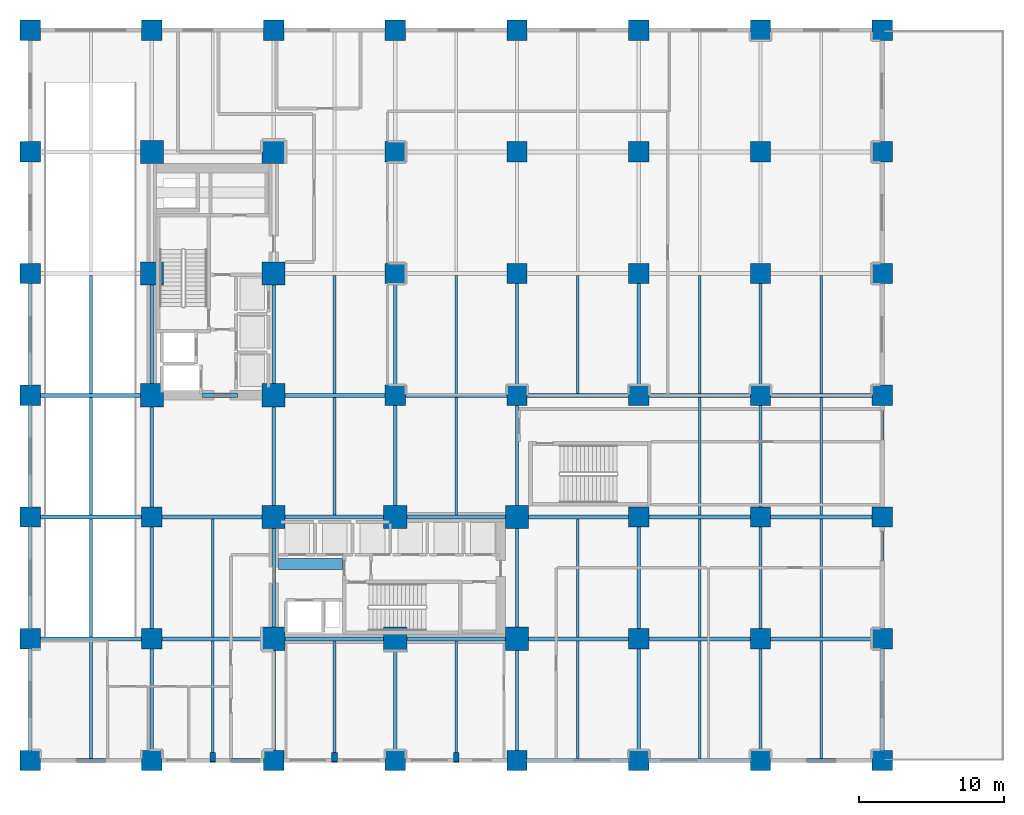
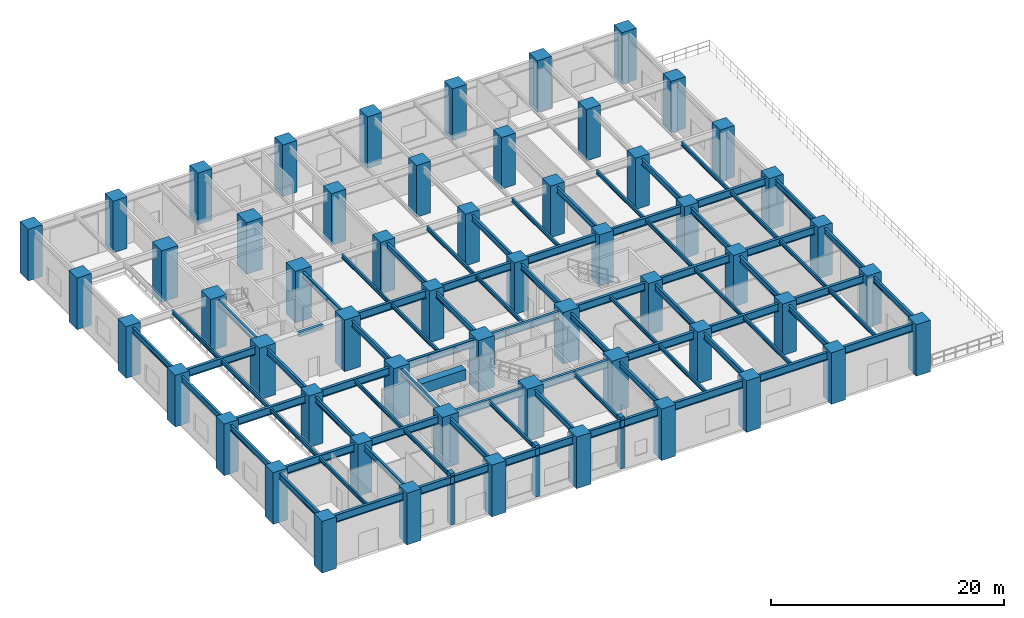
# One storey, part 1 of 13: 81 beams, 59 columns.
"""IFC4 building model written with IfcOpenShell, lengths in metres."""

from ifc_helpers import new_model, si_unit, direction, frame, origin, origin_2d, place, context, subcontext, project, spatial, rectangle, i_section, extrude, material, material_profile, profile_set, type_object, element, save


model = new_model("IFC4")

# Units and contexts
model_context = context("Model", 3, precision=1e-05, world=origin(), true_north=direction((0.0, 1.0)))
body_context = subcontext(model_context, "Body", "Model", "MODEL_VIEW")
ifc_project = project(units=[si_unit("LENGTHUNIT", "METRE"), si_unit("AREAUNIT", "SQUARE_METRE"), si_unit("VOLUMEUNIT", "CUBIC_METRE"), si_unit("PLANEANGLEUNIT", "RADIAN"), si_unit("MASSUNIT", "GRAM", prefix="KILO")], contexts=[model_context])

# Site, building, storey
site_placement = place(None, origin())
site = spatial("IfcSite", under=ifc_project, at=site_placement, CompositionType="ELEMENT")
building_placement = place(site_placement, origin())
building = spatial("IfcBuilding", under=site, at=building_placement, Name="Nerrivon Quay Data Exchange", CompositionType="ELEMENT")
storey_placement = place(building_placement, origin())
storey = spatial("IfcBuildingStorey", under=building, at=storey_placement, Name="L00", CompositionType="ELEMENT", Elevation=0.0)

# Columns
ifc_material_1 = material(Name="Concrete N80 (80 MPa)", Category="concrete")
ifc_material_profile_1 = material_profile(ifc_material_1, rectangle(XDim=1.60009765625, YDim=1.60009765625, at=origin_2d()), Name="RC-COL-1600x1600")
ifc_profile_set_1 = profile_set([ifc_material_profile_1], Name="Concrete N80 (80 MPa)")
column_type_1 = type_object("IfcColumnType", Name="COL-C1-1600", PredefinedType="COLUMN", material=ifc_profile_set_1)
for number, where, z_axis, x_axis, name in (
    (1, (8.39990234375, 25.199951171875, 0.0), (0.0, 0.0, 1.0), (1.0, 0.0, 0.0), "L00 Column (8.4,25.2)"),
    (2, (8.39990234375, 33.60009765625, 0.0), (0.0, 0.0, 1.0), (1.0, 0.0, 0.0), "L00 Column (8.4,33.6)"),
    (3, (8.39990234375, 42.0, 0.0), (0.0, 0.0, 1.0), (1.0, 0.0, 0.0), "L00 Column (8.4,42.0)"),
    (4, (16.800048828125, 8.39990234375, 0.0), (0.0, 0.0, 1.0), (1.0, 0.0, 0.0), "L00 Column (16.8,8.4)"),
    (5, (16.800048828125, 16.800048828125, 0.0), (0.0, 0.0, 1.0), (1.0, 0.0, 0.0), "L00 Column (16.8,16.8)"),
    (6, (16.800048828125, 25.199951171875, 0.0), (0.0, 0.0, 1.0), (1.0, 0.0, 0.0), "L00 Column (16.8,25.2)"),
    (7, (16.800048828125, 33.60009765625, 0.0), (0.0, 0.0, 1.0), (1.0, 0.0, 0.0), "L00 Column (16.8,33.6)"),
    (8, (16.800048828125, 42.0, 0.0), (0.0, 0.0, 1.0), (1.0, 0.0, 0.0), "L00 Column (16.8,42.0)"),
    (9, (25.199951171875, 8.39990234375, 0.0), (0.0, 0.0, 1.0), (1.0, 0.0, 0.0), "L00 Column (25.2,8.4)"),
    (10, (25.199951171875, 16.800048828125, 0.0), (0.0, 0.0, 1.0), (1.0, 0.0, 0.0), "L00 Column (25.2,16.8)"),
    (11, (33.60009765625, 8.39990234375, 0.0), (0.0, 0.0, 1.0), (1.0, 0.0, 0.0), "L00 Column (33.6,8.4)"),
    (12, (33.60009765625, 16.800048828125, 0.0), (0.0, 0.0, 1.0), (1.0, 0.0, 0.0), "L00 Column (33.6,16.8)"),
):
    element("IfcColumn", number, at=place(storey_placement, frame(where, z_axis=z_axis, x_axis=x_axis)), inside=storey, type_object=column_type_1, Name=name, PredefinedType="COLUMN", context=body_context, shape_type="SweptSolid", body=[
        extrude(rectangle(XDim=1.60009765625, YDim=1.60009765625, at=origin_2d()), origin(), (0.0, 0.0, 1.0), 5.39990234375),
    ])
ifc_material_profile_2 = material_profile(ifc_material_1, rectangle(XDim=1.39990234375, YDim=1.39990234375, at=origin_2d()), Name="RC-COL-1400x1400")
ifc_profile_set_2 = profile_set([ifc_material_profile_2], Name="Concrete N80 (80 MPa)")
column_type_2 = type_object("IfcColumnType", Name="COL-C2-1400", PredefinedType="COLUMN", material=ifc_profile_set_2)
for number, where, z_axis, x_axis, name in (
    (13, (0.0, 0.0, 0.0), (0.0, 0.0, 1.0), (1.0, 0.0, 0.0), "L00 Column (0.0,0.0)"),
    (14, (0.0, 8.39990234375, 0.0), (0.0, 0.0, 1.0), (1.0, 0.0, 0.0), "L00 Column (0.0,8.4)"),
    (15, (0.0, 16.800048828125, 0.0), (0.0, 0.0, 1.0), (1.0, 0.0, 0.0), "L00 Column (0.0,16.8)"),
    (16, (0.0, 25.199951171875, 0.0), (0.0, 0.0, 1.0), (1.0, 0.0, 0.0), "L00 Column (0.0,25.2)"),
    (17, (0.0, 33.60009765625, 0.0), (0.0, 0.0, 1.0), (1.0, 0.0, 0.0), "L00 Column (0.0,33.6)"),
    (18, (0.0, 42.0, 0.0), (0.0, 0.0, 1.0), (1.0, 0.0, 0.0), "L00 Column (0.0,42.0)"),
    (19, (0.0, 50.39990234375, 0.0), (0.0, 0.0, 1.0), (1.0, 0.0, 0.0), "L00 Column (0.0,50.4)"),
    (20, (8.39990234375, 0.0, 0.0), (0.0, 0.0, 1.0), (1.0, 0.0, 0.0), "L00 Column (8.4,0.0)"),
    (21, (8.39990234375, 8.39990234375, 0.0), (0.0, 0.0, 1.0), (1.0, 0.0, 0.0), "L00 Column (8.4,8.4)"),
    (22, (8.39990234375, 16.800048828125, 0.0), (0.0, 0.0, 1.0), (1.0, 0.0, 0.0), "L00 Column (8.4,16.8)"),
    (23, (8.39990234375, 50.39990234375, 0.0), (0.0, 0.0, 1.0), (1.0, 0.0, 0.0), "L00 Column (8.4,50.4)"),
    (24, (16.800048828125, 0.0, 0.0), (0.0, 0.0, 1.0), (1.0, 0.0, 0.0), "L00 Column (16.8,0.0)"),
    (25, (16.800048828125, 50.39990234375, 0.0), (0.0, 0.0, 1.0), (1.0, 0.0, 0.0), "L00 Column (16.8,50.4)"),
    (26, (25.199951171875, 0.0, 0.0), (0.0, 0.0, 1.0), (1.0, 0.0, 0.0), "L00 Column (25.2,0.0)"),
    (27, (25.199951171875, 25.199951171875, 0.0), (0.0, 0.0, 1.0), (1.0, 0.0, 0.0), "L00 Column (25.2,25.2)"),
    (28, (25.199951171875, 33.60009765625, 0.0), (0.0, 0.0, 1.0), (1.0, 0.0, 0.0), "L00 Column (25.2,33.6)"),
    (29, (25.199951171875, 42.0, 0.0), (0.0, 0.0, 1.0), (1.0, 0.0, 0.0), "L00 Column (25.2,42.0)"),
    (30, (25.199951171875, 50.39990234375, 0.0), (0.0, 0.0, 1.0), (1.0, 0.0, 0.0), "L00 Column (25.2,50.4)"),
    (31, (33.60009765625, 0.0, 0.0), (0.0, 0.0, 1.0), (1.0, 0.0, 0.0), "L00 Column (33.6,0.0)"),
    (32, (33.60009765625, 25.199951171875, 0.0), (0.0, 0.0, 1.0), (1.0, 0.0, 0.0), "L00 Column (33.6,25.2)"),
    (33, (33.60009765625, 33.60009765625, 0.0), (0.0, 0.0, 1.0), (1.0, 0.0, 0.0), "L00 Column (33.6,33.6)"),
    (34, (33.60009765625, 42.0, 0.0), (0.0, 0.0, 1.0), (1.0, 0.0, 0.0), "L00 Column (33.6,42.0)"),
    (35, (33.60009765625, 50.39990234375, 0.0), (0.0, 0.0, 1.0), (1.0, 0.0, 0.0), "L00 Column (33.6,50.4)"),
    (36, (42.0, 0.0, 0.0), (0.0, 0.0, 1.0), (1.0, 0.0, 0.0), "L00 Column (42.0,0.0)"),
    (37, (42.0, 8.39990234375, 0.0), (0.0, 0.0, 1.0), (1.0, 0.0, 0.0), "L00 Column (42.0,8.4)"),
    (38, (42.0, 16.800048828125, 0.0), (0.0, 0.0, 1.0), (1.0, 0.0, 0.0), "L00 Column (42.0,16.8)"),
    (39, (42.0, 25.199951171875, 0.0), (0.0, 0.0, 1.0), (1.0, 0.0, 0.0), "L00 Column (42.0,25.2)"),
    (40, (42.0, 33.60009765625, 0.0), (0.0, 0.0, 1.0), (1.0, 0.0, 0.0), "L00 Column (42.0,33.6)"),
    (41, (42.0, 42.0, 0.0), (0.0, 0.0, 1.0), (1.0, 0.0, 0.0), "L00 Column (42.0,42.0)"),
    (42, (42.0, 50.39990234375, 0.0), (0.0, 0.0, 1.0), (1.0, 0.0, 0.0), "L00 Column (42.0,50.4)"),
    (43, (50.39990234375, 0.0, 0.0), (0.0, 0.0, 1.0), (1.0, 0.0, 0.0), "L00 Column (50.4,0.0)"),
    (44, (50.39990234375, 8.39990234375, 0.0), (0.0, 0.0, 1.0), (1.0, 0.0, 0.0), "L00 Column (50.4,8.4)"),
    (45, (50.39990234375, 16.800048828125, 0.0), (0.0, 0.0, 1.0), (1.0, 0.0, 0.0), "L00 Column (50.4,16.8)"),
    (46, (50.39990234375, 25.199951171875, 0.0), (0.0, 0.0, 1.0), (1.0, 0.0, 0.0), "L00 Column (50.4,25.2)"),
    (47, (50.39990234375, 33.60009765625, 0.0), (0.0, 0.0, 1.0), (1.0, 0.0, 0.0), "L00 Column (50.4,33.6)"),
    (48, (50.39990234375, 42.0, 0.0), (0.0, 0.0, 1.0), (1.0, 0.0, 0.0), "L00 Column (50.4,42.0)"),
    (49, (50.39990234375, 50.39990234375, 0.0), (0.0, 0.0, 1.0), (1.0, 0.0, 0.0), "L00 Column (50.4,50.4)"),
    (50, (58.800048828125, 0.0, 0.0), (0.0, 0.0, 1.0), (1.0, 0.0, 0.0), "L00 Column (58.8,0.0)"),
    (51, (58.800048828125, 8.39990234375, 0.0), (0.0, 0.0, 1.0), (1.0, 0.0, 0.0), "L00 Column (58.8,8.4)"),
    (52, (58.800048828125, 16.800048828125, 0.0), (0.0, 0.0, 1.0), (1.0, 0.0, 0.0), "L00 Column (58.8,16.8)"),
    (53, (58.800048828125, 25.199951171875, 0.0), (0.0, 0.0, 1.0), (1.0, 0.0, 0.0), "L00 Column (58.8,25.2)"),
    (54, (58.800048828125, 33.60009765625, 0.0), (0.0, 0.0, 1.0), (1.0, 0.0, 0.0), "L00 Column (58.8,33.6)"),
    (55, (58.800048828125, 42.0, 0.0), (0.0, 0.0, 1.0), (1.0, 0.0, 0.0), "L00 Column (58.8,42.0)"),
    (56, (58.800048828125, 50.39990234375, 0.0), (0.0, 0.0, 1.0), (1.0, 0.0, 0.0), "L00 Column (58.8,50.4)"),
):
    element("IfcColumn", number, at=place(storey_placement, frame(where, z_axis=z_axis, x_axis=x_axis)), inside=storey, type_object=column_type_2, Name=name, PredefinedType="COLUMN", context=body_context, shape_type="SweptSolid", body=[
        extrude(rectangle(XDim=1.39990234375, YDim=1.39990234375, at=origin_2d()), origin(), (0.0, 0.0, 1.0), 5.39990234375),
    ])
ifc_material_2 = material(Name="Concrete S65 (65 MPa)", Category="concrete")
ifc_material_profile_3 = material_profile(ifc_material_2, rectangle(XDim=0.39990234375, YDim=0.60009765625, at=origin_2d()), Name="RC-PIL-600x400")
ifc_profile_set_3 = profile_set([ifc_material_profile_3], Name="Concrete S65 (65 MPa)")
column_type_3 = type_object("IfcColumnType", Name="PIL-P1-600x400", PredefinedType="PILASTER", material=ifc_profile_set_3)
for number, where, z_axis, x_axis, name in (
    (57, (12.60009765625, 0.25, 0.0), (0.0, 0.0, 1.0), (1.0, 0.0, 0.0), "L00 Facade Pilaster (12.6)"),
    (58, (21.0, 0.25, 0.0), (0.0, 0.0, 1.0), (1.0, 0.0, 0.0), "L00 Facade Pilaster (21.0)"),
    (59, (29.39990234375, 0.25, 0.0), (0.0, 0.0, 1.0), (1.0, 0.0, 0.0), "L00 Facade Pilaster (29.4)"),
):
    element("IfcColumn", number, at=place(storey_placement, frame(where, z_axis=z_axis, x_axis=x_axis)), inside=storey, type_object=column_type_3, Name=name, PredefinedType="PILASTER", context=body_context, shape_type="SweptSolid", body=[
        extrude(rectangle(XDim=0.39990234375, YDim=0.60009765625, at=origin_2d()), origin(), (0.0, 0.0, 1.0), 5.39990234375),
    ])

# Beams
ifc_material_profile_4 = material_profile(ifc_material_2, rectangle(XDim=0.75, YDim=1.10009765625, at=origin_2d()), Name="RC-CB-750x1100")
ifc_profile_set_4 = profile_set([ifc_material_profile_4], Name="Concrete S65 (65 MPa)")
beam_type_1 = type_object("IfcBeamType", Name="BM-CB1-750x1100", PredefinedType="LINTEL", material=ifc_profile_set_4)
beam_1_placement = place(storey_placement, frame((17.125, 13.550048828125, 4.574951171875), z_axis=(1.0, 0.0, 0.0), x_axis=(0.0, 1.0, 0.0)))
element("IfcBeam", 60, at=beam_1_placement, inside=storey, type_object=beam_type_1, Name="L00 East Core Coupling Beam", PredefinedType="LINTEL", context=body_context, shape_type="SweptSolid", body=[
    extrude(rectangle(XDim=0.75, YDim=1.10009765625, at=origin_2d()), origin(), (0.0, 0.0, 1.0), 4.429931640625),
])
ifc_material_3 = material(Name="Steel Grade 350", Category="steel")
ifc_material_profile_5 = material_profile(ifc_material_3, i_section(OverallWidth=0.22900390625, OverallDepth=0.612060546875, WebThickness=0.011962890625, FlangeThickness=0.01953125, FilletRadius=0.013916015625, at=origin_2d()), Name="610UB125")
ifc_profile_set_5 = profile_set([ifc_material_profile_5], Name="Steel Grade 350")
beam_type_2 = type_object("IfcBeamType", Name="BM-G1-610UB125", PredefinedType="BEAM", material=ifc_profile_set_5)
for number, where, z_axis, x_axis, name in (
    (61, (0.0, 0.5400390625, 4.819091796875), (0.0, 1.0, 0.0), (-1.0, 0.0, 0.0), "L00 NS Girder X=0.0 (0.0..8.4)"),
    (62, (0.0, 8.93994140625, 4.819091796875), (0.0, 1.0, 0.0), (-1.0, 0.0, 0.0), "L00 NS Girder X=0.0 (8.4..16.8)"),
):
    element("IfcBeam", number, at=place(storey_placement, frame(where, z_axis=z_axis, x_axis=x_axis)), inside=storey, type_object=beam_type_2, Name=name, PredefinedType="BEAM", context=body_context, shape_type="SweptSolid", body=[
        extrude(i_section(OverallWidth=0.22900390625, OverallDepth=0.612060546875, WebThickness=0.011962890625, FlangeThickness=0.01953125, FilletRadius=0.013916015625, at=origin_2d()), origin(), (0.0, 0.0, 1.0), 7.320068359375),
    ])
beam_2_placement = place(storey_placement, frame((0.0, 17.340087890625, 4.819091796875), z_axis=(0.0, 1.0, 0.0), x_axis=(-1.0, 0.0, 0.0)))
element("IfcBeam", 63, at=beam_2_placement, inside=storey, type_object=beam_type_2, Name="L00 NS Girder X=0.0 (16.8..25.2)", PredefinedType="BEAM", context=body_context, shape_type="SweptSolid", body=[
    extrude(i_section(OverallWidth=0.22900390625, OverallDepth=0.612060546875, WebThickness=0.011962890625, FlangeThickness=0.01953125, FilletRadius=0.013916015625, at=origin_2d()), origin(), (0.0, 0.0, 1.0), 7.31982421875),
])
for number, where, z_axis, x_axis, name in (
    (64, (0.0, 25.739990234375, 4.819091796875), (0.0, 1.0, 0.0), (-1.0, 0.0, 0.0), "L00 NS Girder X=0.0 (25.2..33.6)"),
    (65, (8.39990234375, 0.5400390625, 4.819091796875), (0.0, 1.0, 0.0), (-1.0, 0.0, 0.0), "L00 NS Girder X=8.4 (0.0..8.4)"),
    (66, (8.39990234375, 8.93994140625, 4.819091796875), (0.0, 1.0, 0.0), (-1.0, 0.0, 0.0), "L00 NS Girder X=8.4 (8.4..16.8)"),
):
    element("IfcBeam", number, at=place(storey_placement, frame(where, z_axis=z_axis, x_axis=x_axis)), inside=storey, type_object=beam_type_2, Name=name, PredefinedType="BEAM", context=body_context, shape_type="SweptSolid", body=[
        extrude(i_section(OverallWidth=0.22900390625, OverallDepth=0.612060546875, WebThickness=0.011962890625, FlangeThickness=0.01953125, FilletRadius=0.013916015625, at=origin_2d()), origin(), (0.0, 0.0, 1.0), 7.320068359375),
    ])
beam_3_placement = place(storey_placement, frame((8.39990234375, 17.340087890625, 4.819091796875), z_axis=(0.0, 1.0, 0.0), x_axis=(-1.0, 0.0, 0.0)))
element("IfcBeam", 67, at=beam_3_placement, inside=storey, type_object=beam_type_2, Name="L00 NS Girder X=8.4 (16.8..25.2)", PredefinedType="BEAM", context=body_context, shape_type="SweptSolid", body=[
    extrude(i_section(OverallWidth=0.22900390625, OverallDepth=0.612060546875, WebThickness=0.011962890625, FlangeThickness=0.01953125, FilletRadius=0.013916015625, at=origin_2d()), origin(), (0.0, 0.0, 1.0), 7.31982421875),
])
for number, where, z_axis, x_axis, name in (
    (68, (8.39990234375, 25.739990234375, 4.819091796875), (0.0, 1.0, 0.0), (-1.0, 0.0, 0.0), "L00 NS Girder X=8.4 (25.2..33.6)"),
    (69, (16.800048828125, 0.5400390625, 4.819091796875), (0.0, 1.0, 0.0), (-1.0, 0.0, 0.0), "L00 NS Girder X=16.8 (0.0..8.4)"),
    (70, (16.800048828125, 8.93994140625, 4.819091796875), (0.0, 1.0, 0.0), (-1.0, 0.0, 0.0), "L00 NS Girder X=16.8 (8.4..16.8)"),
):
    element("IfcBeam", number, at=place(storey_placement, frame(where, z_axis=z_axis, x_axis=x_axis)), inside=storey, type_object=beam_type_2, Name=name, PredefinedType="BEAM", context=body_context, shape_type="SweptSolid", body=[
        extrude(i_section(OverallWidth=0.22900390625, OverallDepth=0.612060546875, WebThickness=0.011962890625, FlangeThickness=0.01953125, FilletRadius=0.013916015625, at=origin_2d()), origin(), (0.0, 0.0, 1.0), 7.320068359375),
    ])
beam_4_placement = place(storey_placement, frame((16.800048828125, 17.340087890625, 4.819091796875), z_axis=(0.0, 1.0, 0.0), x_axis=(-1.0, 0.0, 0.0)))
element("IfcBeam", 71, at=beam_4_placement, inside=storey, type_object=beam_type_2, Name="L00 NS Girder X=16.8 (16.8..25.2)", PredefinedType="BEAM", context=body_context, shape_type="SweptSolid", body=[
    extrude(i_section(OverallWidth=0.22900390625, OverallDepth=0.612060546875, WebThickness=0.011962890625, FlangeThickness=0.01953125, FilletRadius=0.013916015625, at=origin_2d()), origin(), (0.0, 0.0, 1.0), 7.31982421875),
])
for number, where, z_axis, x_axis, name in (
    (72, (16.800048828125, 25.739990234375, 4.819091796875), (0.0, 1.0, 0.0), (-1.0, 0.0, 0.0), "L00 NS Girder X=16.8 (25.2..33.6)"),
    (73, (25.199951171875, 0.5400390625, 4.819091796875), (0.0, 1.0, 0.0), (-1.0, 0.0, 0.0), "L00 NS Girder X=25.2 (0.0..8.4)"),
):
    element("IfcBeam", number, at=place(storey_placement, frame(where, z_axis=z_axis, x_axis=x_axis)), inside=storey, type_object=beam_type_2, Name=name, PredefinedType="BEAM", context=body_context, shape_type="SweptSolid", body=[
        extrude(i_section(OverallWidth=0.22900390625, OverallDepth=0.612060546875, WebThickness=0.011962890625, FlangeThickness=0.01953125, FilletRadius=0.013916015625, at=origin_2d()), origin(), (0.0, 0.0, 1.0), 7.320068359375),
    ])
beam_5_placement = place(storey_placement, frame((25.199951171875, 17.340087890625, 4.819091796875), z_axis=(0.0, 1.0, 0.0), x_axis=(-1.0, 0.0, 0.0)))
element("IfcBeam", 74, at=beam_5_placement, inside=storey, type_object=beam_type_2, Name="L00 NS Girder X=25.2 (16.8..25.2)", PredefinedType="BEAM", context=body_context, shape_type="SweptSolid", body=[
    extrude(i_section(OverallWidth=0.22900390625, OverallDepth=0.612060546875, WebThickness=0.011962890625, FlangeThickness=0.01953125, FilletRadius=0.013916015625, at=origin_2d()), origin(), (0.0, 0.0, 1.0), 7.31982421875),
])
for number, where, z_axis, x_axis, name in (
    (75, (25.199951171875, 25.739990234375, 4.819091796875), (0.0, 1.0, 0.0), (-1.0, 0.0, 0.0), "L00 NS Girder X=25.2 (25.2..33.6)"),
    (76, (33.60009765625, 0.5400390625, 4.819091796875), (0.0, 1.0, 0.0), (-1.0, 0.0, 0.0), "L00 NS Girder X=33.6 (0.0..8.4)"),
    (77, (33.60009765625, 8.93994140625, 4.819091796875), (0.0, 1.0, 0.0), (-1.0, 0.0, 0.0), "L00 NS Girder X=33.6 (8.4..16.8)"),
):
    element("IfcBeam", number, at=place(storey_placement, frame(where, z_axis=z_axis, x_axis=x_axis)), inside=storey, type_object=beam_type_2, Name=name, PredefinedType="BEAM", context=body_context, shape_type="SweptSolid", body=[
        extrude(i_section(OverallWidth=0.22900390625, OverallDepth=0.612060546875, WebThickness=0.011962890625, FlangeThickness=0.01953125, FilletRadius=0.013916015625, at=origin_2d()), origin(), (0.0, 0.0, 1.0), 7.320068359375),
    ])
beam_6_placement = place(storey_placement, frame((33.60009765625, 17.340087890625, 4.819091796875), z_axis=(0.0, 1.0, 0.0), x_axis=(-1.0, 0.0, 0.0)))
element("IfcBeam", 78, at=beam_6_placement, inside=storey, type_object=beam_type_2, Name="L00 NS Girder X=33.6 (16.8..25.2)", PredefinedType="BEAM", context=body_context, shape_type="SweptSolid", body=[
    extrude(i_section(OverallWidth=0.22900390625, OverallDepth=0.612060546875, WebThickness=0.011962890625, FlangeThickness=0.01953125, FilletRadius=0.013916015625, at=origin_2d()), origin(), (0.0, 0.0, 1.0), 7.31982421875),
])
for number, where, z_axis, x_axis, name in (
    (79, (33.60009765625, 25.739990234375, 4.819091796875), (0.0, 1.0, 0.0), (-1.0, 0.0, 0.0), "L00 NS Girder X=33.6 (25.2..33.6)"),
    (80, (42.0, 0.5400390625, 4.819091796875), (0.0, 1.0, 0.0), (-1.0, 0.0, 0.0), "L00 NS Girder X=42.0 (0.0..8.4)"),
    (81, (42.0, 8.93994140625, 4.819091796875), (0.0, 1.0, 0.0), (-1.0, 0.0, 0.0), "L00 NS Girder X=42.0 (8.4..16.8)"),
    (82, (42.0, 25.739990234375, 4.819091796875), (0.0, 1.0, 0.0), (-1.0, 0.0, 0.0), "L00 NS Girder X=42.0 (25.2..33.6)"),
    (83, (50.39990234375, 0.5400390625, 4.819091796875), (0.0, 1.0, 0.0), (-1.0, 0.0, 0.0), "L00 NS Girder X=50.4 (0.0..8.4)"),
    (84, (50.39990234375, 8.93994140625, 4.819091796875), (0.0, 1.0, 0.0), (-1.0, 0.0, 0.0), "L00 NS Girder X=50.4 (8.4..16.8)"),
):
    element("IfcBeam", number, at=place(storey_placement, frame(where, z_axis=z_axis, x_axis=x_axis)), inside=storey, type_object=beam_type_2, Name=name, PredefinedType="BEAM", context=body_context, shape_type="SweptSolid", body=[
        extrude(i_section(OverallWidth=0.22900390625, OverallDepth=0.612060546875, WebThickness=0.011962890625, FlangeThickness=0.01953125, FilletRadius=0.013916015625, at=origin_2d()), origin(), (0.0, 0.0, 1.0), 7.320068359375),
    ])
beam_7_placement = place(storey_placement, frame((50.39990234375, 17.340087890625, 4.819091796875), z_axis=(0.0, 1.0, 0.0), x_axis=(-1.0, 0.0, 0.0)))
element("IfcBeam", 85, at=beam_7_placement, inside=storey, type_object=beam_type_2, Name="L00 NS Girder X=50.4 (16.8..25.2)", PredefinedType="BEAM", context=body_context, shape_type="SweptSolid", body=[
    extrude(i_section(OverallWidth=0.22900390625, OverallDepth=0.612060546875, WebThickness=0.011962890625, FlangeThickness=0.01953125, FilletRadius=0.013916015625, at=origin_2d()), origin(), (0.0, 0.0, 1.0), 7.31982421875),
])
for number, where, z_axis, x_axis, name in (
    (86, (50.39990234375, 25.739990234375, 4.819091796875), (0.0, 1.0, 0.0), (-1.0, 0.0, 0.0), "L00 NS Girder X=50.4 (25.2..33.6)"),
    (87, (58.800048828125, 0.5400390625, 4.819091796875), (0.0, 1.0, 0.0), (-1.0, 0.0, 0.0), "L00 NS Girder X=58.8 (0.0..8.4)"),
    (88, (58.800048828125, 8.93994140625, 4.819091796875), (0.0, 1.0, 0.0), (-1.0, 0.0, 0.0), "L00 NS Girder X=58.8 (8.4..16.8)"),
):
    element("IfcBeam", number, at=place(storey_placement, frame(where, z_axis=z_axis, x_axis=x_axis)), inside=storey, type_object=beam_type_2, Name=name, PredefinedType="BEAM", context=body_context, shape_type="SweptSolid", body=[
        extrude(i_section(OverallWidth=0.22900390625, OverallDepth=0.612060546875, WebThickness=0.011962890625, FlangeThickness=0.01953125, FilletRadius=0.013916015625, at=origin_2d()), origin(), (0.0, 0.0, 1.0), 7.320068359375),
    ])
beam_8_placement = place(storey_placement, frame((58.800048828125, 17.340087890625, 4.819091796875), z_axis=(0.0, 1.0, 0.0), x_axis=(-1.0, 0.0, 0.0)))
element("IfcBeam", 89, at=beam_8_placement, inside=storey, type_object=beam_type_2, Name="L00 NS Girder X=58.8 (16.8..25.2)", PredefinedType="BEAM", context=body_context, shape_type="SweptSolid", body=[
    extrude(i_section(OverallWidth=0.22900390625, OverallDepth=0.612060546875, WebThickness=0.011962890625, FlangeThickness=0.01953125, FilletRadius=0.013916015625, at=origin_2d()), origin(), (0.0, 0.0, 1.0), 7.31982421875),
])
ifc_material_profile_6 = material_profile(ifc_material_3, i_section(OverallWidth=0.27490234375, OverallDepth=0.800048828125, WebThickness=0.010009765625, FlangeThickness=0.02001953125, at=origin_2d()), Name="800WB146")
ifc_profile_set_6 = profile_set([ifc_material_profile_6], Name="Steel Grade 350")
beam_type_3 = type_object("IfcBeamType", Name="BM-G8-800WB146", PredefinedType="BEAM", material=ifc_profile_set_6)
for number, where, z_axis, x_axis, name in (
    (90, (0.5400390625, 0.0, 4.72509765625), (1.0, 0.0, 0.0), (0.0, 1.0, 0.0), "L00 EW Girder Y=0.0 (0.0..8.4)"),
    (91, (8.93994140625, 0.0, 4.72509765625), (1.0, 0.0, 0.0), (0.0, 1.0, 0.0), "L00 EW Girder Y=0.0 (8.4..16.8)"),
):
    element("IfcBeam", number, at=place(storey_placement, frame(where, z_axis=z_axis, x_axis=x_axis)), inside=storey, type_object=beam_type_3, Name=name, PredefinedType="BEAM", context=body_context, shape_type="SweptSolid", body=[
        extrude(i_section(OverallWidth=0.27490234375, OverallDepth=0.800048828125, WebThickness=0.010009765625, FlangeThickness=0.02001953125, at=origin_2d()), origin(), (0.0, 0.0, 1.0), 7.320068359375),
    ])
beam_9_placement = place(storey_placement, frame((17.340087890625, 0.0, 4.72509765625), z_axis=(1.0, 0.0, 0.0), x_axis=(0.0, 1.0, 0.0)))
element("IfcBeam", 92, at=beam_9_placement, inside=storey, type_object=beam_type_3, Name="L00 EW Girder Y=0.0 (16.8..25.2)", PredefinedType="BEAM", context=body_context, shape_type="SweptSolid", body=[
    extrude(i_section(OverallWidth=0.27490234375, OverallDepth=0.800048828125, WebThickness=0.010009765625, FlangeThickness=0.02001953125, at=origin_2d()), origin(), (0.0, 0.0, 1.0), 7.31982421875),
])
for number, where, z_axis, x_axis, name in (
    (93, (25.739990234375, 0.0, 4.72509765625), (1.0, 0.0, 0.0), (0.0, 1.0, 0.0), "L00 EW Girder Y=0.0 (25.2..33.6)"),
    (94, (34.139892578125, 0.0, 4.72509765625), (1.0, 0.0, 0.0), (0.0, 1.0, 0.0), "L00 EW Girder Y=0.0 (33.6..42.0)"),
    (95, (42.5400390625, 0.0, 4.72509765625), (1.0, 0.0, 0.0), (0.0, 1.0, 0.0), "L00 EW Girder Y=0.0 (42.0..50.4)"),
    (96, (50.93994140625, 0.0, 4.72509765625), (1.0, 0.0, 0.0), (0.0, 1.0, 0.0), "L00 EW Girder Y=0.0 (50.4..58.8)"),
    (97, (0.5400390625, 8.39990234375, 4.72509765625), (1.0, 0.0, 0.0), (0.0, 1.0, 0.0), "L00 EW Girder Y=8.4 (0.0..8.4)"),
    (98, (8.93994140625, 8.39990234375, 4.72509765625), (1.0, 0.0, 0.0), (0.0, 1.0, 0.0), "L00 EW Girder Y=8.4 (8.4..16.8)"),
):
    element("IfcBeam", number, at=place(storey_placement, frame(where, z_axis=z_axis, x_axis=x_axis)), inside=storey, type_object=beam_type_3, Name=name, PredefinedType="BEAM", context=body_context, shape_type="SweptSolid", body=[
        extrude(i_section(OverallWidth=0.27490234375, OverallDepth=0.800048828125, WebThickness=0.010009765625, FlangeThickness=0.02001953125, at=origin_2d()), origin(), (0.0, 0.0, 1.0), 7.320068359375),
    ])
beam_10_placement = place(storey_placement, frame((17.340087890625, 8.39990234375, 4.72509765625), z_axis=(1.0, 0.0, 0.0), x_axis=(0.0, 1.0, 0.0)))
element("IfcBeam", 99, at=beam_10_placement, inside=storey, type_object=beam_type_3, Name="L00 EW Girder Y=8.4 (16.8..25.2)", PredefinedType="BEAM", context=body_context, shape_type="SweptSolid", body=[
    extrude(i_section(OverallWidth=0.27490234375, OverallDepth=0.800048828125, WebThickness=0.010009765625, FlangeThickness=0.02001953125, at=origin_2d()), origin(), (0.0, 0.0, 1.0), 7.31982421875),
])
for number, where, z_axis, x_axis, name in (
    (100, (25.739990234375, 8.39990234375, 4.72509765625), (1.0, 0.0, 0.0), (0.0, 1.0, 0.0), "L00 EW Girder Y=8.4 (25.2..33.6)"),
    (101, (34.139892578125, 8.39990234375, 4.72509765625), (1.0, 0.0, 0.0), (0.0, 1.0, 0.0), "L00 EW Girder Y=8.4 (33.6..42.0)"),
    (102, (42.5400390625, 8.39990234375, 4.72509765625), (1.0, 0.0, 0.0), (0.0, 1.0, 0.0), "L00 EW Girder Y=8.4 (42.0..50.4)"),
    (103, (50.93994140625, 8.39990234375, 4.72509765625), (1.0, 0.0, 0.0), (0.0, 1.0, 0.0), "L00 EW Girder Y=8.4 (50.4..58.8)"),
    (104, (0.5400390625, 16.800048828125, 4.72509765625), (1.0, 0.0, 0.0), (0.0, 1.0, 0.0), "L00 EW Girder Y=16.8 (0.0..8.4)"),
    (105, (8.93994140625, 16.800048828125, 4.72509765625), (1.0, 0.0, 0.0), (0.0, 1.0, 0.0), "L00 EW Girder Y=16.8 (8.4..16.8)"),
):
    element("IfcBeam", number, at=place(storey_placement, frame(where, z_axis=z_axis, x_axis=x_axis)), inside=storey, type_object=beam_type_3, Name=name, PredefinedType="BEAM", context=body_context, shape_type="SweptSolid", body=[
        extrude(i_section(OverallWidth=0.27490234375, OverallDepth=0.800048828125, WebThickness=0.010009765625, FlangeThickness=0.02001953125, at=origin_2d()), origin(), (0.0, 0.0, 1.0), 7.320068359375),
    ])
beam_11_placement = place(storey_placement, frame((17.340087890625, 16.800048828125, 4.72509765625), z_axis=(1.0, 0.0, 0.0), x_axis=(0.0, 1.0, 0.0)))
element("IfcBeam", 106, at=beam_11_placement, inside=storey, type_object=beam_type_3, Name="L00 EW Girder Y=16.8 (16.8..25.2)", PredefinedType="BEAM", context=body_context, shape_type="SweptSolid", body=[
    extrude(i_section(OverallWidth=0.27490234375, OverallDepth=0.800048828125, WebThickness=0.010009765625, FlangeThickness=0.02001953125, at=origin_2d()), origin(), (0.0, 0.0, 1.0), 7.31982421875),
])
for number, where, z_axis, x_axis, name in (
    (107, (25.739990234375, 16.800048828125, 4.72509765625), (1.0, 0.0, 0.0), (0.0, 1.0, 0.0), "L00 EW Girder Y=16.8 (25.2..33.6)"),
    (108, (34.139892578125, 16.800048828125, 4.72509765625), (1.0, 0.0, 0.0), (0.0, 1.0, 0.0), "L00 EW Girder Y=16.8 (33.6..42.0)"),
    (109, (42.5400390625, 16.800048828125, 4.72509765625), (1.0, 0.0, 0.0), (0.0, 1.0, 0.0), "L00 EW Girder Y=16.8 (42.0..50.4)"),
    (110, (50.93994140625, 16.800048828125, 4.72509765625), (1.0, 0.0, 0.0), (0.0, 1.0, 0.0), "L00 EW Girder Y=16.8 (50.4..58.8)"),
    (111, (0.5400390625, 25.199951171875, 4.72509765625), (1.0, 0.0, 0.0), (0.0, 1.0, 0.0), "L00 EW Girder Y=25.2 (0.0..8.4)"),
):
    element("IfcBeam", number, at=place(storey_placement, frame(where, z_axis=z_axis, x_axis=x_axis)), inside=storey, type_object=beam_type_3, Name=name, PredefinedType="BEAM", context=body_context, shape_type="SweptSolid", body=[
        extrude(i_section(OverallWidth=0.27490234375, OverallDepth=0.800048828125, WebThickness=0.010009765625, FlangeThickness=0.02001953125, at=origin_2d()), origin(), (0.0, 0.0, 1.0), 7.320068359375),
    ])
beam_12_placement = place(storey_placement, frame((17.340087890625, 25.199951171875, 4.72509765625), z_axis=(1.0, 0.0, 0.0), x_axis=(0.0, 1.0, 0.0)))
element("IfcBeam", 112, at=beam_12_placement, inside=storey, type_object=beam_type_3, Name="L00 EW Girder Y=25.2 (16.8..25.2)", PredefinedType="BEAM", context=body_context, shape_type="SweptSolid", body=[
    extrude(i_section(OverallWidth=0.27490234375, OverallDepth=0.800048828125, WebThickness=0.010009765625, FlangeThickness=0.02001953125, at=origin_2d()), origin(), (0.0, 0.0, 1.0), 7.31982421875),
])
for number, where, z_axis, x_axis, name in (
    (113, (25.739990234375, 25.199951171875, 4.72509765625), (1.0, 0.0, 0.0), (0.0, 1.0, 0.0), "L00 EW Girder Y=25.2 (25.2..33.6)"),
    (114, (34.139892578125, 25.199951171875, 4.72509765625), (1.0, 0.0, 0.0), (0.0, 1.0, 0.0), "L00 EW Girder Y=25.2 (33.6..42.0)"),
    (115, (42.5400390625, 25.199951171875, 4.72509765625), (1.0, 0.0, 0.0), (0.0, 1.0, 0.0), "L00 EW Girder Y=25.2 (42.0..50.4)"),
    (116, (50.93994140625, 25.199951171875, 4.72509765625), (1.0, 0.0, 0.0), (0.0, 1.0, 0.0), "L00 EW Girder Y=25.2 (50.4..58.8)"),
):
    element("IfcBeam", number, at=place(storey_placement, frame(where, z_axis=z_axis, x_axis=x_axis)), inside=storey, type_object=beam_type_3, Name=name, PredefinedType="BEAM", context=body_context, shape_type="SweptSolid", body=[
        extrude(i_section(OverallWidth=0.27490234375, OverallDepth=0.800048828125, WebThickness=0.010009765625, FlangeThickness=0.02001953125, at=origin_2d()), origin(), (0.0, 0.0, 1.0), 7.320068359375),
    ])
ifc_material_profile_7 = material_profile(ifc_material_3, i_section(OverallWidth=0.177978515625, OverallDepth=0.403076171875, WebThickness=0.007568359375, FlangeThickness=0.010986328125, FilletRadius=0.011474609375, at=origin_2d()), Name="410UB53.7")
ifc_profile_set_7 = profile_set([ifc_material_profile_7], Name="Steel Grade 350")
beam_type_4 = type_object("IfcBeamType", Name="BM-J2-410UB54", PredefinedType="JOIST", material=ifc_profile_set_7)
for number, where, z_axis, x_axis, name in (
    (117, (4.199951171875, 0.137451171875, 4.923583984375), (0.0, 1.0, 0.0), (-1.0, 0.0, 0.0), "L00 Secondary Joist X=4.2 (0.0..8.4)"),
    (118, (4.199951171875, 8.53759765625, 4.923583984375), (0.0, 1.0, 0.0), (-1.0, 0.0, 0.0), "L00 Secondary Joist X=4.2 (8.4..16.8)"),
    (119, (4.199951171875, 16.9375, 4.923583984375), (0.0, 1.0, 0.0), (-1.0, 0.0, 0.0), "L00 Secondary Joist X=4.2 (16.8..25.2)"),
    (120, (4.199951171875, 25.33740234375, 4.923583984375), (0.0, 1.0, 0.0), (-1.0, 0.0, 0.0), "L00 Secondary Joist X=4.2 (25.2..33.6)"),
    (121, (12.60009765625, 0.137451171875, 4.923583984375), (0.0, 1.0, 0.0), (-1.0, 0.0, 0.0), "L00 Secondary Joist X=12.6 (0.0..8.4)"),
    (122, (12.60009765625, 8.53759765625, 4.923583984375), (0.0, 1.0, 0.0), (-1.0, 0.0, 0.0), "L00 Secondary Joist X=12.6 (8.4..16.8)"),
    (123, (21.0, 0.137451171875, 4.923583984375), (0.0, 1.0, 0.0), (-1.0, 0.0, 0.0), "L00 Secondary Joist X=21.0 (0.0..8.4)"),
    (124, (21.0, 16.9375, 4.923583984375), (0.0, 1.0, 0.0), (-1.0, 0.0, 0.0), "L00 Secondary Joist X=21.0 (16.8..25.2)"),
    (125, (21.0, 25.33740234375, 4.923583984375), (0.0, 1.0, 0.0), (-1.0, 0.0, 0.0), "L00 Secondary Joist X=21.0 (25.2..33.6)"),
    (126, (29.39990234375, 0.137451171875, 4.923583984375), (0.0, 1.0, 0.0), (-1.0, 0.0, 0.0), "L00 Secondary Joist X=29.4 (0.0..8.4)"),
    (127, (29.39990234375, 16.9375, 4.923583984375), (0.0, 1.0, 0.0), (-1.0, 0.0, 0.0), "L00 Secondary Joist X=29.4 (16.8..25.2)"),
    (128, (29.39990234375, 25.33740234375, 4.923583984375), (0.0, 1.0, 0.0), (-1.0, 0.0, 0.0), "L00 Secondary Joist X=29.4 (25.2..33.6)"),
    (129, (37.800048828125, 0.137451171875, 4.923583984375), (0.0, 1.0, 0.0), (-1.0, 0.0, 0.0), "L00 Secondary Joist X=37.8 (0.0..8.4)"),
    (130, (37.800048828125, 8.53759765625, 4.923583984375), (0.0, 1.0, 0.0), (-1.0, 0.0, 0.0), "L00 Secondary Joist X=37.8 (8.4..16.8)"),
    (131, (37.800048828125, 25.33740234375, 4.923583984375), (0.0, 1.0, 0.0), (-1.0, 0.0, 0.0), "L00 Secondary Joist X=37.8 (25.2..33.6)"),
    (132, (46.199951171875, 0.137451171875, 4.923583984375), (0.0, 1.0, 0.0), (-1.0, 0.0, 0.0), "L00 Secondary Joist X=46.2 (0.0..8.4)"),
    (133, (46.199951171875, 8.53759765625, 4.923583984375), (0.0, 1.0, 0.0), (-1.0, 0.0, 0.0), "L00 Secondary Joist X=46.2 (8.4..16.8)"),
    (134, (46.199951171875, 16.9375, 4.923583984375), (0.0, 1.0, 0.0), (-1.0, 0.0, 0.0), "L00 Secondary Joist X=46.2 (16.8..25.2)"),
    (135, (46.199951171875, 25.33740234375, 4.923583984375), (0.0, 1.0, 0.0), (-1.0, 0.0, 0.0), "L00 Secondary Joist X=46.2 (25.2..33.6)"),
    (136, (54.60009765625, 0.137451171875, 4.923583984375), (0.0, 1.0, 0.0), (-1.0, 0.0, 0.0), "L00 Secondary Joist X=54.6 (0.0..8.4)"),
    (137, (54.60009765625, 8.53759765625, 4.923583984375), (0.0, 1.0, 0.0), (-1.0, 0.0, 0.0), "L00 Secondary Joist X=54.6 (8.4..16.8)"),
    (138, (54.60009765625, 16.9375, 4.923583984375), (0.0, 1.0, 0.0), (-1.0, 0.0, 0.0), "L00 Secondary Joist X=54.6 (16.8..25.2)"),
    (139, (54.60009765625, 25.33740234375, 4.923583984375), (0.0, 1.0, 0.0), (-1.0, 0.0, 0.0), "L00 Secondary Joist X=54.6 (25.2..33.6)"),
):
    element("IfcBeam", number, at=place(storey_placement, frame(where, z_axis=z_axis, x_axis=x_axis)), inside=storey, type_object=beam_type_4, Name=name, PredefinedType="JOIST", context=body_context, shape_type="SweptSolid", body=[
        extrude(i_section(OverallWidth=0.177978515625, OverallDepth=0.403076171875, WebThickness=0.007568359375, FlangeThickness=0.010986328125, FilletRadius=0.011474609375, at=origin_2d()), origin(), (0.0, 0.0, 1.0), 8.125),
    ])
ifc_material_4 = material(Name="Concrete N50 (50 MPa)", Category="concrete")
ifc_material_profile_8 = material_profile(ifc_material_4, rectangle(XDim=0.300048828125, YDim=0.449951171875, at=origin_2d()), Name="RC-LNT-300x450")
ifc_profile_set_8 = profile_set([ifc_material_profile_8], Name="Concrete N50 (50 MPa)")
beam_type_5 = type_object("IfcBeamType", Name="BM-LNT-300x450", PredefinedType="LINTEL", material=ifc_profile_set_8)
beam_13_placement = place(storey_placement, frame((11.89990234375, 25.199951171875, 4.89990234375), z_axis=(1.0, 0.0, 0.0), x_axis=(0.0, 1.0, 0.0)))
element("IfcBeam", 140, at=beam_13_placement, inside=storey, type_object=beam_type_5, Name="L00 Core Threshold RC Lintel", PredefinedType="LINTEL", context=body_context, shape_type="SweptSolid", body=[
    extrude(rectangle(XDim=0.300048828125, YDim=0.449951171875, at=origin_2d()), origin(), (0.0, 0.0, 1.0), 2.400146484375),
])

save(model, "model.ifc")
